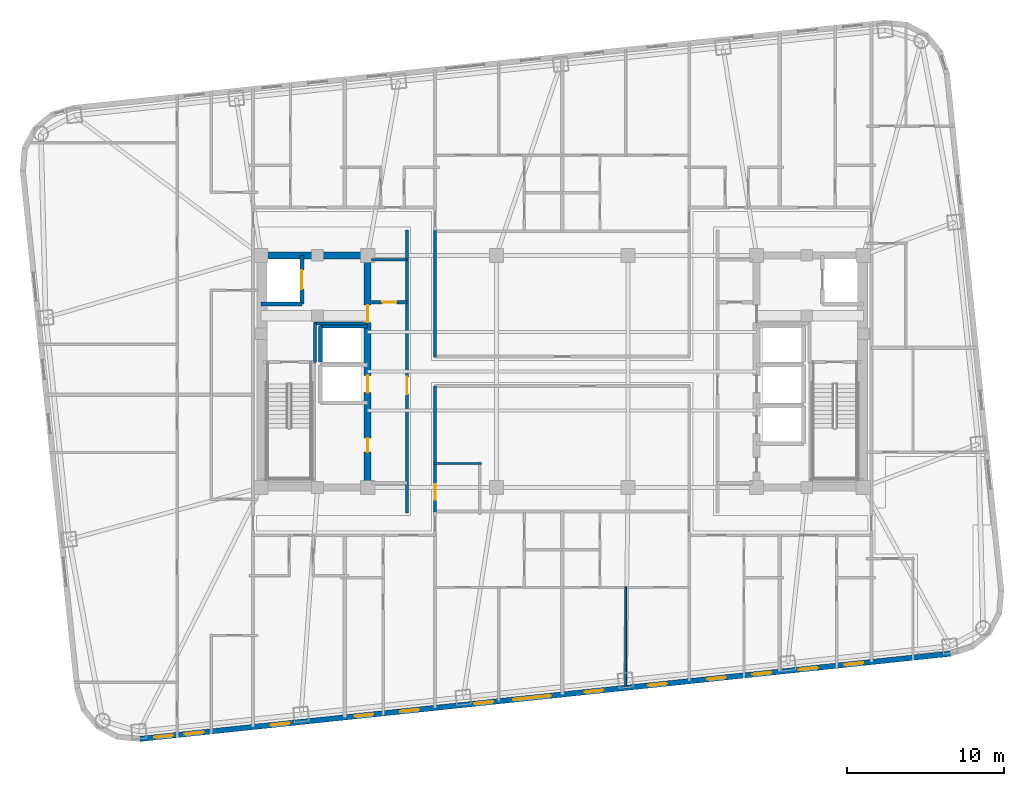
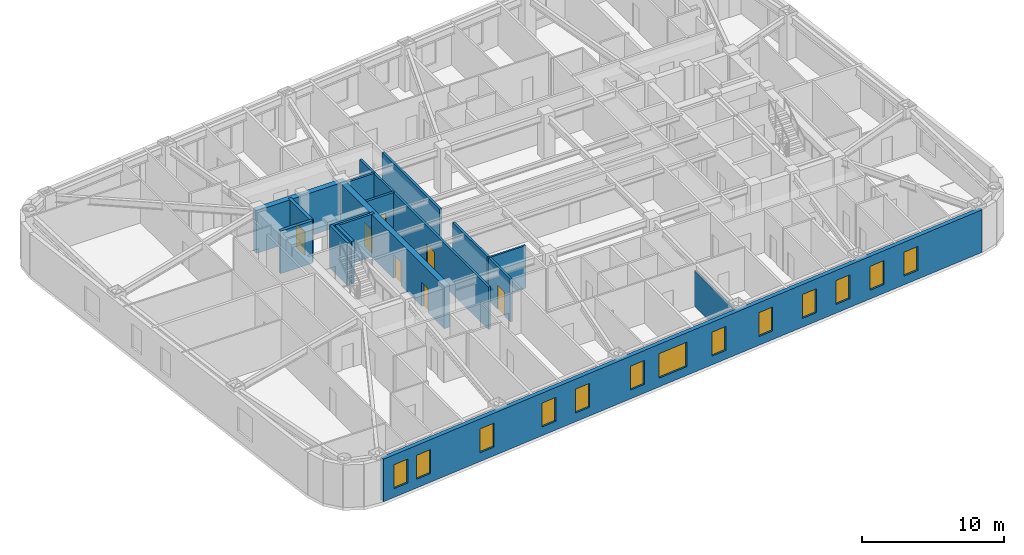
# One storey, part 4 of 12: 16 walls, 13 windows, 7 doors, 20 openings.
"""IFC4 building model written with IfcOpenShell, lengths in metres."""

from ifc_helpers import new_model, si_unit, direction, frame, frame_2d, origin, place, context, subcontext, project, spatial, rectangle, extrude, material, layer, layer_set, type_object, element, fill, save


model = new_model("IFC4")

# Units and contexts
model_context = context("Model", 3, precision=1e-05, world=origin(), true_north=direction((0.0, 1.0)))
body_context = subcontext(model_context, "Body", "Model", "MODEL_VIEW")
ifc_project = project(units=[si_unit("LENGTHUNIT", "METRE"), si_unit("AREAUNIT", "SQUARE_METRE"), si_unit("VOLUMEUNIT", "CUBIC_METRE"), si_unit("PLANEANGLEUNIT", "RADIAN"), si_unit("MASSUNIT", "GRAM", prefix="KILO")], contexts=[model_context])

# Site, building, storey
site_placement = place(None, origin())
site = spatial("IfcSite", under=ifc_project, at=site_placement, CompositionType="ELEMENT")
building_placement = place(site_placement, origin())
building = spatial("IfcBuilding", under=site, at=building_placement, Name="Voryun Gate Residences", CompositionType="ELEMENT")
storey_placement = place(building_placement, frame((0.0, 0.0, 159.89990234375)))
storey = spatial("IfcBuildingStorey", under=building, at=storey_placement, Name="L39", CompositionType="ELEMENT", Elevation=159.89990234375)

# Wall
ifc_material_1 = material(Name="Concrete C50/60", Category="concrete")
ifc_layer_1 = layer(ifc_material_1, 0.449951171875, Name="CW_CORE_450")
ifc_layer_set_1 = layer_set([ifc_layer_1], Name="Concrete C50/60")
wall_type_1 = type_object("IfcWallType", Name="CW_CORE_450", PredefinedType="SHEAR", material=ifc_layer_set_1)
wall_1_placement = place(storey_placement, frame((-19.425048828125, 7.39990234375, 0.0), z_axis=(0.0, 0.0, 1.0), x_axis=(1.0, 0.0, 0.0)))
element("IfcWall", 1, at=wall_1_placement, inside=storey, type_object=wall_type_1, Name="L39 Core shear wall CW-L39-WN", PredefinedType="SHEAR", context=body_context, shape_type="SweptSolid", body=[
    extrude(rectangle(XDim=7.25, YDim=0.449951171875, at=frame_2d((3.625, 0.0))), origin(), (0.0, 0.0, 1.0), 3.650146484375),
])

# Wall, openings, doors
wall_2_placement = place(storey_placement, frame((-12.39990234375, -7.39990234375, 0.0), z_axis=(0.0, 0.0, 1.0), x_axis=(0.0, 1.0, 0.0)))
wall_2 = element("IfcWall", 2, at=wall_2_placement, inside=storey, type_object=wall_type_1, Name="L39 Core shear wall CW-L39-WE", PredefinedType="SHEAR", context=body_context, shape_type="SweptSolid", body=[
    extrude(rectangle(XDim=14.7998046875, YDim=0.449951171875, at=frame_2d((7.39990234375, 0.0))), origin(), (0.0, 0.0, 1.0), 3.650146484375),
])
opening_1_placement = place(wall_2_placement, frame((6.050048828125, 0.0, 0.0)))
opening_1 = element("IfcOpeningElement", 3, at=opening_1_placement, cuts=wall_2, Name="Opening LD2", PredefinedType="OPENING", context=body_context, shape_type="SweptSolid", body=[
    extrude(rectangle(XDim=1.10009765625, YDim=2.050048828125, at=frame_2d((0.550048828125, 1.02490234375))), frame((0.0, 0.235107421875, 0.0), z_axis=(0.0, -1.0, 0.0), x_axis=(1.0, 0.0, 0.0)), (0.0, 0.0, 1.0), 0.469970703125),
])
opening_2_placement = place(wall_2_placement, frame((10.530029296875, 0.0, 0.0)))
opening_2 = element("IfcOpeningElement", 4, at=opening_2_placement, cuts=wall_2, Name="Opening D-FD60-2", PredefinedType="OPENING", context=body_context, shape_type="SweptSolid", body=[
    extrude(rectangle(XDim=1.10009765625, YDim=2.050048828125, at=frame_2d((0.550048828125, 1.02490234375))), frame((0.0, 0.235107421875, 0.0), z_axis=(0.0, -1.0, 0.0), x_axis=(1.0, 0.0, 0.0)), (0.0, 0.0, 1.0), 0.469970703125),
])
opening_3_placement = place(wall_2_placement, frame((2.25, 0.0, 0.0)))
opening_3 = element("IfcOpeningElement", 5, at=opening_3_placement, cuts=wall_2, Name="Opening D-FD60-4", PredefinedType="OPENING", context=body_context, shape_type="SweptSolid", body=[
    extrude(rectangle(XDim=0.89990234375, YDim=2.050048828125, at=frame_2d((0.449951171875, 1.02490234375))), frame((0.0, 0.235107421875, 0.0), z_axis=(0.0, -1.0, 0.0), x_axis=(1.0, 0.0, 0.0)), (0.0, 0.0, 1.0), 0.469970703125),
])
ifc_material_2 = material(Name="Painted steel fire door", Category="steel")
door_type_1 = type_object("IfcDoorType", Name="DR_FD60_FFLOB_1100", OperationType="NOTDEFINED", PredefinedType="DOOR", material=ifc_material_2)
door_1_placement = place(opening_2_placement, origin())
door_1 = element("IfcDoor", 6, at=door_1_placement, inside=storey, type_object=door_type_1, Name="Door DR-L39-CLOB-W", OperationType="SINGLE_SWING_LEFT", OverallHeight=2.050048828125, OverallWidth=1.10009765625, PredefinedType="DOOR", context=body_context, shape_type="SweptSolid", body=[
    extrude(rectangle(XDim=1.10009765625, YDim=2.050048828125, at=frame_2d((0.550048828125, 1.02490234375))), frame((0.0, 0.02490234375, 0.0), z_axis=(0.0, -1.0, 0.0), x_axis=(1.0, 0.0, 0.0)), (0.0, 0.0, 1.0), 0.050048828125),
])
fill(opening_2, door_1)
ifc_material_3 = material(Name="Painted steel fire door", Category="steel")
door_type_2 = type_object("IfcDoorType", Name="DR_FD60_RISER_900", OperationType="NOTDEFINED", PredefinedType="DOOR", material=ifc_material_3)
door_2_placement = place(opening_3_placement, origin())
door_2 = element("IfcDoor", 7, at=door_2_placement, inside=storey, type_object=door_type_2, Name="Door DR-L39-RECW1", OperationType="SINGLE_SWING_LEFT", OverallHeight=2.050048828125, OverallWidth=0.89990234375, PredefinedType="DOOR", context=body_context, shape_type="SweptSolid", body=[
    extrude(rectangle(XDim=0.89990234375, YDim=2.050048828125, at=frame_2d((0.449951171875, 1.02490234375))), frame((0.0, 0.02490234375, 0.0), z_axis=(0.0, -1.0, 0.0), x_axis=(1.0, 0.0, 0.0)), (0.0, 0.0, 1.0), 0.050048828125),
])
fill(opening_3, door_2)
ifc_material_4 = material(Name="Anodised aluminium", Category="aluminium")
door_type_3 = type_object("IfcDoorType", Name="DR_LD_PASS_1100", OperationType="NOTDEFINED", PredefinedType="DOOR", material=ifc_material_4)
door_3_placement = place(opening_1_placement, origin())
door_3 = element("IfcDoor", 8, at=door_3_placement, inside=storey, type_object=door_type_3, Name="Lift EL-P4 sliding landing door L39", OperationType="SLIDING_TO_LEFT", OverallHeight=2.050048828125, OverallWidth=1.10009765625, PredefinedType="DOOR", context=body_context, shape_type="SweptSolid", body=[
    extrude(rectangle(XDim=1.10009765625, YDim=2.050048828125, at=frame_2d((0.550048828125, 1.02490234375))), frame((0.0, 0.02490234375, 0.0), z_axis=(0.0, -1.0, 0.0), x_axis=(1.0, 0.0, 0.0)), (0.0, 0.0, 1.0), 0.050048828125),
])
fill(opening_1, door_3)

# Wall
ifc_material_5 = material(Name="Gypsum acoustic fireboard")
ifc_layer_2 = layer(ifc_material_5, 0.179931640625, Name="W_CORR_RATED_180")
ifc_layer_set_2 = layer_set([ifc_layer_2], Name="Gypsum acoustic fireboard")
wall_type_2 = type_object("IfcWallType", Name="W_CORR_RATED_180", PredefinedType="PARTITIONING", material=ifc_layer_set_2)
wall_3_placement = place(storey_placement, frame((-12.14990234375, 7.1201171875, 0.0), z_axis=(0.0, 0.0, 1.0), x_axis=(1.0, 0.0, 0.0)))
element("IfcWall", 9, at=wall_3_placement, inside=storey, type_object=wall_type_2, Name="Partition wall WP-L39-PLBN-W", PredefinedType="PARTITIONING", context=body_context, shape_type="SweptSolid", body=[
    extrude(rectangle(XDim=2.27001953125, YDim=0.179931640625, at=frame_2d((1.135009765625, 0.0))), origin(), (0.0, 0.0, 1.0), 3.650146484375),
])

# Wall, opening, door
wall_4_placement = place(storey_placement, frame((-9.89990234375, -9.030029296875, 0.0), z_axis=(0.0, 0.0, 1.0), x_axis=(0.0, 1.0, 0.0)))
wall_4 = element("IfcWall", 10, at=wall_4_placement, inside=storey, type_object=wall_type_2, Name="Partition wall WP-L39-PLBW-FULL", PredefinedType="PARTITIONING", context=body_context, shape_type="SweptSolid", body=[
    extrude(rectangle(XDim=18.06005859375, YDim=0.179931640625, at=frame_2d((9.030029296875, 0.0))), origin(), (0.0, 0.0, 1.0), 3.650146484375),
])
opening_4_placement = place(wall_4_placement, frame((7.576904296875, 0.0, 0.0)))
opening_4 = element("IfcOpeningElement", 11, at=opening_4_placement, cuts=wall_4, Name="Opening D-FD60-2", PredefinedType="OPENING", context=body_context, shape_type="SweptSolid", body=[
    extrude(rectangle(XDim=1.10009765625, YDim=2.050048828125, at=frame_2d((0.550048828125, 1.02490234375))), frame((0.0, 0.099853515625, 0.0), z_axis=(0.0, -1.0, 0.0), x_axis=(1.0, 0.0, 0.0)), (0.0, 0.0, 1.0), 0.199951171875),
])
door_4_placement = place(opening_4_placement, origin())
door_4 = element("IfcDoor", 12, at=door_4_placement, inside=storey, type_object=door_type_1, Name="Door DR-L39-PLBW-COR", OperationType="SINGLE_SWING_LEFT", OverallHeight=2.050048828125, OverallWidth=1.10009765625, PredefinedType="DOOR", context=body_context, shape_type="SweptSolid", body=[
    extrude(rectangle(XDim=1.10009765625, YDim=2.050048828125, at=frame_2d((0.550048828125, 1.02490234375))), frame((0.0, 0.02490234375, 0.0), z_axis=(0.0, -1.0, 0.0), x_axis=(1.0, 0.0, 0.0)), (0.0, 0.0, 1.0), 0.050048828125),
])
fill(opening_4, door_4)

# Wall
wall_5_placement = place(storey_placement, frame((-8.10009765625, 0.919921875, 0.0), z_axis=(0.0, 0.0, 1.0), x_axis=(0.0, 1.0, 0.0)))
element("IfcWall", 13, at=wall_5_placement, inside=storey, type_object=wall_type_2, Name="Partition wall WP-L39-Z2WL1", PredefinedType="PARTITIONING", context=body_context, shape_type="SweptSolid", body=[
    extrude(rectangle(XDim=8.06005859375, YDim=0.179931640625, at=frame_2d((4.030029296875, 0.0))), origin(), (0.0, 0.0, 1.0), 3.650146484375),
])

# Wall, opening, door
wall_6_placement = place(storey_placement, frame((-8.10009765625, -8.97998046875, 0.0), z_axis=(0.0, 0.0, 1.0), x_axis=(0.0, 1.0, 0.0)))
wall_6 = element("IfcWall", 14, at=wall_6_placement, inside=storey, type_object=wall_type_2, Name="Partition wall WP-L39-Z2WL2", PredefinedType="PARTITIONING", context=body_context, shape_type="SweptSolid", body=[
    extrude(rectangle(XDim=8.06005859375, YDim=0.179931640625, at=frame_2d((4.030029296875, 0.0))), origin(), (0.0, 0.0, 1.0), 3.650146484375),
])
opening_5_placement = place(wall_6_placement, frame((0.78955078125, 0.0, 0.0)))
opening_5 = element("IfcOpeningElement", 15, at=opening_5_placement, cuts=wall_6, Name="Opening D-AWC-1", PredefinedType="OPENING", context=body_context, shape_type="SweptSolid", body=[
    extrude(rectangle(XDim=1.0, YDim=2.050048828125, at=frame_2d((0.5, 1.02490234375))), frame((0.0, 0.099853515625, 0.0), z_axis=(0.0, -1.0, 0.0), x_axis=(1.0, 0.0, 0.0)), (0.0, 0.0, 1.0), 0.199951171875),
])
ifc_material_6 = material(Name="Architectural oak veneer")
door_type_4 = type_object("IfcDoorType", Name="DR_ACC_WC_1000", OperationType="NOTDEFINED", PredefinedType="DOOR", material=ifc_material_6)
door_5_placement = place(opening_5_placement, origin())
door_5 = element("IfcDoor", 16, at=door_5_placement, inside=storey, type_object=door_type_4, Name="Door DR-L39-CMWC-D", OperationType="SINGLE_SWING_LEFT", OverallHeight=2.050048828125, OverallWidth=1.0, PredefinedType="DOOR", context=body_context, shape_type="SweptSolid", body=[
    extrude(rectangle(XDim=1.0, YDim=2.050048828125, at=frame_2d((0.5, 1.02490234375))), frame((0.0, 0.02490234375, 0.0), z_axis=(0.0, -1.0, 0.0), x_axis=(1.0, 0.0, 0.0)), (0.0, 0.0, 1.0), 0.050048828125),
])
fill(opening_5, door_5)

# Wall, openings, windows
ifc_material_7 = material(Name="Charcoal terracotta masonry", Category="masonry")
ifc_layer_3 = layer(ifc_material_7, 0.340087890625, Name="W_EXT_TERRACOTTA_340")
ifc_layer_set_3 = layer_set([ifc_layer_3], Name="Charcoal terracotta masonry")
wall_type_3 = type_object("IfcWallType", Name="W_EXT_TERRACOTTA_340", PredefinedType="ELEMENTEDWALL", material=ifc_layer_set_3)
wall_7_placement = place(storey_placement, frame((24.755615234375, -18.003173828125, 0.0), z_axis=(0.0, 0.0, 1.0), x_axis=(-0.99452160744, -0.104531202687, 0.0)))
wall_7 = element("IfcWall", 17, at=wall_7_placement, inside=storey, type_object=wall_type_3, Name="Exterior wall WEXT-L39-01", PredefinedType="ELEMENTEDWALL", context=body_context, shape_type="SweptSolid", body=[
    extrude(rectangle(XDim=51.966552734375, YDim=0.340087890625, at=frame_2d((25.9833984375, 0.0))), origin(), (0.0, 0.0, 1.0), 3.650146484375),
])
opening_6_placement = place(wall_7_placement, frame((25.63330078125, 0.0, 0.75)))
opening_6 = element("IfcOpeningElement", 18, at=opening_6_placement, cuts=wall_7, Name="Opening WN2", PredefinedType="OPENING", context=body_context, shape_type="SweptSolid", body=[
    extrude(rectangle(XDim=2.39990234375, YDim=2.10009765625, at=frame_2d((1.199951171875, 1.050048828125))), frame((0.0, 0.179931640625, 0.0), z_axis=(0.0, -1.0, 0.0), x_axis=(1.0, 0.0, 0.0)), (0.0, 0.0, 1.0), 0.360107421875),
])
opening_7_placement = place(wall_7_placement, frame((42.369384765625, 0.0, 0.75)))
opening_7 = element("IfcOpeningElement", 19, at=opening_7_placement, cuts=wall_7, Name="Opening WN6", PredefinedType="OPENING", context=body_context, shape_type="SweptSolid", body=[
    extrude(rectangle(XDim=1.199951171875, YDim=2.050048828125, at=frame_2d((0.60009765625, 1.02490234375))), frame((0.0, 0.179931640625, 0.0), z_axis=(0.0, -1.0, 0.0), x_axis=(1.0, 0.0, 0.0)), (0.0, 0.0, 1.0), 0.360107421875),
])
opening_8_placement = place(wall_7_placement, frame((34.084716796875, 0.0, 0.75)))
opening_8 = element("IfcOpeningElement", 20, at=opening_8_placement, cuts=wall_7, Name="Opening WN6", PredefinedType="OPENING", context=body_context, shape_type="SweptSolid", body=[
    extrude(rectangle(XDim=1.199951171875, YDim=2.050048828125, at=frame_2d((0.60009765625, 1.02490234375))), frame((0.0, 0.179931640625, 0.0), z_axis=(0.0, -1.0, 0.0), x_axis=(1.0, 0.0, 0.0)), (0.0, 0.0, 1.0), 0.360107421875),
])
opening_9_placement = place(wall_7_placement, frame((36.9931640625, 0.0, 0.75)))
opening_9 = element("IfcOpeningElement", 21, at=opening_9_placement, cuts=wall_7, Name="Opening WN6", PredefinedType="OPENING", context=body_context, shape_type="SweptSolid", body=[
    extrude(rectangle(XDim=1.199951171875, YDim=2.050048828125, at=frame_2d((0.60009765625, 1.02490234375))), frame((0.0, 0.179931640625, 0.0), z_axis=(0.0, -1.0, 0.0), x_axis=(1.0, 0.0, 0.0)), (0.0, 0.0, 1.0), 0.360107421875),
])
opening_10_placement = place(wall_7_placement, frame((14.3974609375, 0.0, 0.75)))
opening_10 = element("IfcOpeningElement", 22, at=opening_10_placement, cuts=wall_7, Name="Opening WN6", PredefinedType="OPENING", context=body_context, shape_type="SweptSolid", body=[
    extrude(rectangle(XDim=1.199951171875, YDim=2.050048828125, at=frame_2d((0.60009765625, 1.02490234375))), frame((0.0, 0.179931640625, 0.0), z_axis=(0.0, -1.0, 0.0), x_axis=(1.0, 0.0, 0.0)), (0.0, 0.0, 1.0), 0.360107421875),
])
opening_11_placement = place(wall_7_placement, frame((11.489013671875, 0.0, 0.75)))
opening_11 = element("IfcOpeningElement", 23, at=opening_11_placement, cuts=wall_7, Name="Opening WN6", PredefinedType="OPENING", context=body_context, shape_type="SweptSolid", body=[
    extrude(rectangle(XDim=1.199951171875, YDim=2.050048828125, at=frame_2d((0.60009765625, 1.02490234375))), frame((0.0, 0.179931640625, 0.0), z_axis=(0.0, -1.0, 0.0), x_axis=(1.0, 0.0, 0.0)), (0.0, 0.0, 1.0), 0.360107421875),
])
opening_12_placement = place(wall_7_placement, frame((8.520751953125, 0.0, 0.75)))
opening_12 = element("IfcOpeningElement", 24, at=opening_12_placement, cuts=wall_7, Name="Opening WN6", PredefinedType="OPENING", context=body_context, shape_type="SweptSolid", body=[
    extrude(rectangle(XDim=1.199951171875, YDim=2.050048828125, at=frame_2d((0.60009765625, 1.02490234375))), frame((0.0, 0.179931640625, 0.0), z_axis=(0.0, -1.0, 0.0), x_axis=(1.0, 0.0, 0.0)), (0.0, 0.0, 1.0), 0.360107421875),
])
opening_13_placement = place(wall_7_placement, frame((5.58203125, 0.0, 0.75)))
opening_13 = element("IfcOpeningElement", 25, at=opening_13_placement, cuts=wall_7, Name="Opening WN6", PredefinedType="OPENING", context=body_context, shape_type="SweptSolid", body=[
    extrude(rectangle(XDim=1.199951171875, YDim=2.050048828125, at=frame_2d((0.60009765625, 1.02490234375))), frame((0.0, 0.179931640625, 0.0), z_axis=(0.0, -1.0, 0.0), x_axis=(1.0, 0.0, 0.0)), (0.0, 0.0, 1.0), 0.360107421875),
])
opening_14_placement = place(wall_7_placement, frame((29.31298828125, 0.0, 0.75)))
opening_14 = element("IfcOpeningElement", 26, at=opening_14_placement, cuts=wall_7, Name="Opening WN6", PredefinedType="OPENING", context=body_context, shape_type="SweptSolid", body=[
    extrude(rectangle(XDim=1.199951171875, YDim=2.050048828125, at=frame_2d((0.60009765625, 1.02490234375))), frame((0.0, 0.179931640625, 0.0), z_axis=(0.0, -1.0, 0.0), x_axis=(1.0, 0.0, 0.0)), (0.0, 0.0, 1.0), 0.360107421875),
])
opening_15_placement = place(wall_7_placement, frame((22.248291015625, 0.0, 0.75)))
opening_15 = element("IfcOpeningElement", 27, at=opening_15_placement, cuts=wall_7, Name="Opening WN6", PredefinedType="OPENING", context=body_context, shape_type="SweptSolid", body=[
    extrude(rectangle(XDim=1.199951171875, YDim=2.050048828125, at=frame_2d((0.60009765625, 1.02490234375))), frame((0.0, 0.179931640625, 0.0), z_axis=(0.0, -1.0, 0.0), x_axis=(1.0, 0.0, 0.0)), (0.0, 0.0, 1.0), 0.360107421875),
])
opening_16_placement = place(wall_7_placement, frame((18.18603515625, 0.0, 0.75)))
opening_16 = element("IfcOpeningElement", 28, at=opening_16_placement, cuts=wall_7, Name="Opening WN6", PredefinedType="OPENING", context=body_context, shape_type="SweptSolid", body=[
    extrude(rectangle(XDim=1.199951171875, YDim=2.050048828125, at=frame_2d((0.60009765625, 1.02490234375))), frame((0.0, 0.179931640625, 0.0), z_axis=(0.0, -1.0, 0.0), x_axis=(1.0, 0.0, 0.0)), (0.0, 0.0, 1.0), 0.360107421875),
])
opening_17_placement = place(wall_7_placement, frame((47.87890625, 0.0, 0.75)))
opening_17 = element("IfcOpeningElement", 29, at=opening_17_placement, cuts=wall_7, Name="Opening WN6", PredefinedType="OPENING", context=body_context, shape_type="SweptSolid", body=[
    extrude(rectangle(XDim=1.199951171875, YDim=2.050048828125, at=frame_2d((0.60009765625, 1.02490234375))), frame((0.0, 0.179931640625, 0.0), z_axis=(0.0, -1.0, 0.0), x_axis=(1.0, 0.0, 0.0)), (0.0, 0.0, 1.0), 0.360107421875),
])
opening_18_placement = place(wall_7_placement, frame((49.84423828125, 0.0, 0.75)))
opening_18 = element("IfcOpeningElement", 30, at=opening_18_placement, cuts=wall_7, Name="Opening WN6", PredefinedType="OPENING", context=body_context, shape_type="SweptSolid", body=[
    extrude(rectangle(XDim=1.199951171875, YDim=2.050048828125, at=frame_2d((0.60009765625, 1.02490234375))), frame((0.0, 0.179931640625, 0.0), z_axis=(0.0, -1.0, 0.0), x_axis=(1.0, 0.0, 0.0)), (0.0, 0.0, 1.0), 0.360107421875),
])
ifc_material_8 = material(Name="Laminated low-E glass", Category="glass")
window_type_1 = type_object("IfcWindowType", Name="WN_POD_SLOT_1200", PartitioningType="SINGLE_PANEL", PredefinedType="WINDOW", material=ifc_material_8)
window_1_placement = place(opening_7_placement, origin())
window_1 = element("IfcWindow", 31, at=window_1_placement, inside=storey, type_object=window_type_1, Name="Window WN-L39-DWFIX-10", OverallHeight=2.050048828125, OverallWidth=1.199951171875, PartitioningType="SINGLE_PANEL", PredefinedType="WINDOW", context=body_context, shape_type="SweptSolid", body=[
    extrude(rectangle(XDim=1.199951171875, YDim=2.050048828125, at=frame_2d((0.60009765625, 1.02490234375))), frame((0.0, 0.030029296875, 0.0), z_axis=(0.0, -1.0, 0.0), x_axis=(1.0, 0.0, 0.0)), (0.0, 0.0, 1.0), 0.06005859375),
])
fill(opening_7, window_1)
window_2_placement = place(opening_8_placement, origin())
window_2 = element("IfcWindow", 32, at=window_2_placement, inside=storey, type_object=window_type_1, Name="Window WN-L39-DWFIX-11", OverallHeight=2.050048828125, OverallWidth=1.199951171875, PartitioningType="SINGLE_PANEL", PredefinedType="WINDOW", context=body_context, shape_type="SweptSolid", body=[
    extrude(rectangle(XDim=1.199951171875, YDim=2.050048828125, at=frame_2d((0.60009765625, 1.02490234375))), frame((0.0, 0.030029296875, 0.0), z_axis=(0.0, -1.0, 0.0), x_axis=(1.0, 0.0, 0.0)), (0.0, 0.0, 1.0), 0.06005859375),
])
fill(opening_8, window_2)
window_3_placement = place(opening_9_placement, origin())
window_3 = element("IfcWindow", 33, at=window_3_placement, inside=storey, type_object=window_type_1, Name="Window WN-L39-DWFIX-12", OverallHeight=2.050048828125, OverallWidth=1.199951171875, PartitioningType="SINGLE_PANEL", PredefinedType="WINDOW", context=body_context, shape_type="SweptSolid", body=[
    extrude(rectangle(XDim=1.199951171875, YDim=2.050048828125, at=frame_2d((0.60009765625, 1.02490234375))), frame((0.0, 0.030029296875, 0.0), z_axis=(0.0, -1.0, 0.0), x_axis=(1.0, 0.0, 0.0)), (0.0, 0.0, 1.0), 0.06005859375),
])
fill(opening_9, window_3)
window_4_placement = place(opening_10_placement, origin())
window_4 = element("IfcWindow", 34, at=window_4_placement, inside=storey, type_object=window_type_1, Name="Window WN-L39-DWFIX-13", OverallHeight=2.050048828125, OverallWidth=1.199951171875, PartitioningType="SINGLE_PANEL", PredefinedType="WINDOW", context=body_context, shape_type="SweptSolid", body=[
    extrude(rectangle(XDim=1.199951171875, YDim=2.050048828125, at=frame_2d((0.60009765625, 1.02490234375))), frame((0.0, 0.030029296875, 0.0), z_axis=(0.0, -1.0, 0.0), x_axis=(1.0, 0.0, 0.0)), (0.0, 0.0, 1.0), 0.06005859375),
])
fill(opening_10, window_4)
window_5_placement = place(opening_11_placement, origin())
window_5 = element("IfcWindow", 35, at=window_5_placement, inside=storey, type_object=window_type_1, Name="Window WN-L39-DWFIX-14", OverallHeight=2.050048828125, OverallWidth=1.199951171875, PartitioningType="SINGLE_PANEL", PredefinedType="WINDOW", context=body_context, shape_type="SweptSolid", body=[
    extrude(rectangle(XDim=1.199951171875, YDim=2.050048828125, at=frame_2d((0.60009765625, 1.02490234375))), frame((0.0, 0.030029296875, 0.0), z_axis=(0.0, -1.0, 0.0), x_axis=(1.0, 0.0, 0.0)), (0.0, 0.0, 1.0), 0.06005859375),
])
fill(opening_11, window_5)
window_6_placement = place(opening_12_placement, origin())
window_6 = element("IfcWindow", 36, at=window_6_placement, inside=storey, type_object=window_type_1, Name="Window WN-L39-DWFIX-15", OverallHeight=2.050048828125, OverallWidth=1.199951171875, PartitioningType="SINGLE_PANEL", PredefinedType="WINDOW", context=body_context, shape_type="SweptSolid", body=[
    extrude(rectangle(XDim=1.199951171875, YDim=2.050048828125, at=frame_2d((0.60009765625, 1.02490234375))), frame((0.0, 0.030029296875, 0.0), z_axis=(0.0, -1.0, 0.0), x_axis=(1.0, 0.0, 0.0)), (0.0, 0.0, 1.0), 0.06005859375),
])
fill(opening_12, window_6)
window_7_placement = place(opening_13_placement, origin())
window_7 = element("IfcWindow", 37, at=window_7_placement, inside=storey, type_object=window_type_1, Name="Window WN-L39-DWFIX-16", OverallHeight=2.050048828125, OverallWidth=1.199951171875, PartitioningType="SINGLE_PANEL", PredefinedType="WINDOW", context=body_context, shape_type="SweptSolid", body=[
    extrude(rectangle(XDim=1.199951171875, YDim=2.050048828125, at=frame_2d((0.60009765625, 1.02490234375))), frame((0.0, 0.030029296875, 0.0), z_axis=(0.0, -1.0, 0.0), x_axis=(1.0, 0.0, 0.0)), (0.0, 0.0, 1.0), 0.06005859375),
])
fill(opening_13, window_7)
window_8_placement = place(opening_14_placement, origin())
window_8 = element("IfcWindow", 38, at=window_8_placement, inside=storey, type_object=window_type_1, Name="Window WN-L39-DWFIX-17", OverallHeight=2.050048828125, OverallWidth=1.199951171875, PartitioningType="SINGLE_PANEL", PredefinedType="WINDOW", context=body_context, shape_type="SweptSolid", body=[
    extrude(rectangle(XDim=1.199951171875, YDim=2.050048828125, at=frame_2d((0.60009765625, 1.02490234375))), frame((0.0, 0.030029296875, 0.0), z_axis=(0.0, -1.0, 0.0), x_axis=(1.0, 0.0, 0.0)), (0.0, 0.0, 1.0), 0.06005859375),
])
fill(opening_14, window_8)
window_9_placement = place(opening_15_placement, origin())
window_9 = element("IfcWindow", 39, at=window_9_placement, inside=storey, type_object=window_type_1, Name="Window WN-L39-DWFIX-18", OverallHeight=2.050048828125, OverallWidth=1.199951171875, PartitioningType="SINGLE_PANEL", PredefinedType="WINDOW", context=body_context, shape_type="SweptSolid", body=[
    extrude(rectangle(XDim=1.199951171875, YDim=2.050048828125, at=frame_2d((0.60009765625, 1.02490234375))), frame((0.0, 0.030029296875, 0.0), z_axis=(0.0, -1.0, 0.0), x_axis=(1.0, 0.0, 0.0)), (0.0, 0.0, 1.0), 0.06005859375),
])
fill(opening_15, window_9)
window_10_placement = place(opening_16_placement, origin())
window_10 = element("IfcWindow", 40, at=window_10_placement, inside=storey, type_object=window_type_1, Name="Window WN-L39-DWFIX-19", OverallHeight=2.050048828125, OverallWidth=1.199951171875, PartitioningType="SINGLE_PANEL", PredefinedType="WINDOW", context=body_context, shape_type="SweptSolid", body=[
    extrude(rectangle(XDim=1.199951171875, YDim=2.050048828125, at=frame_2d((0.60009765625, 1.02490234375))), frame((0.0, 0.030029296875, 0.0), z_axis=(0.0, -1.0, 0.0), x_axis=(1.0, 0.0, 0.0)), (0.0, 0.0, 1.0), 0.06005859375),
])
fill(opening_16, window_10)
window_11_placement = place(opening_17_placement, origin())
window_11 = element("IfcWindow", 41, at=window_11_placement, inside=storey, type_object=window_type_1, Name="Window WN-L39-DWFIX-20", OverallHeight=2.050048828125, OverallWidth=1.199951171875, PartitioningType="SINGLE_PANEL", PredefinedType="WINDOW", context=body_context, shape_type="SweptSolid", body=[
    extrude(rectangle(XDim=1.199951171875, YDim=2.050048828125, at=frame_2d((0.60009765625, 1.02490234375))), frame((0.0, 0.030029296875, 0.0), z_axis=(0.0, -1.0, 0.0), x_axis=(1.0, 0.0, 0.0)), (0.0, 0.0, 1.0), 0.06005859375),
])
fill(opening_17, window_11)
window_12_placement = place(opening_18_placement, origin())
window_12 = element("IfcWindow", 42, at=window_12_placement, inside=storey, type_object=window_type_1, Name="Window WN-L39-DWFIX-22", OverallHeight=2.050048828125, OverallWidth=1.199951171875, PartitioningType="SINGLE_PANEL", PredefinedType="WINDOW", context=body_context, shape_type="SweptSolid", body=[
    extrude(rectangle(XDim=1.199951171875, YDim=2.050048828125, at=frame_2d((0.60009765625, 1.02490234375))), frame((0.0, 0.030029296875, 0.0), z_axis=(0.0, -1.0, 0.0), x_axis=(1.0, 0.0, 0.0)), (0.0, 0.0, 1.0), 0.06005859375),
])
fill(opening_18, window_12)
ifc_material_9 = material(Name="Laminated low-E glass", Category="glass")
window_type_2 = type_object("IfcWindowType", Name="WN_RES_WIDE_2400", PartitioningType="SINGLE_PANEL", PredefinedType="WINDOW", material=ifc_material_9)
window_13_placement = place(opening_6_placement, origin())
window_13 = element("IfcWindow", 43, at=window_13_placement, inside=storey, type_object=window_type_2, Name="Window WN-WEXT-L39-01-02", OverallHeight=2.10009765625, OverallWidth=2.39990234375, PartitioningType="SINGLE_PANEL", PredefinedType="WINDOW", context=body_context, shape_type="SweptSolid", body=[
    extrude(rectangle(XDim=2.39990234375, YDim=2.10009765625, at=frame_2d((1.199951171875, 1.050048828125))), frame((0.0, 0.030029296875, 0.0), z_axis=(0.0, -1.0, 0.0), x_axis=(1.0, 0.0, 0.0)), (0.0, 0.0, 1.0), 0.06005859375),
])
fill(opening_6, window_13)

# Walls
ifc_material_10 = material(Name="Concrete C40/50", Category="concrete")
ifc_layer_4 = layer(ifc_material_10, 0.199951171875, Name="W_FF_LOBBY_200")
ifc_layer_set_4 = layer_set([ifc_layer_4], Name="Concrete C40/50")
wall_type_4 = type_object("IfcWallType", Name="W_FF_LOBBY_200", PredefinedType="PARTITIONING", material=ifc_layer_set_4)
wall_8_placement = place(storey_placement, frame((-15.760009765625, 0.580078125, 0.0), z_axis=(0.0, 0.0, 1.0), x_axis=(0.0, 1.0, 0.0)))
element("IfcWall", 44, at=wall_8_placement, inside=storey, type_object=wall_type_4, Name="Partition wall WP-L39-FFP0-W", PredefinedType="PARTITIONING", context=body_context, shape_type="SweptSolid", body=[
    extrude(rectangle(XDim=2.52001953125, YDim=0.199951171875, at=frame_2d((1.260009765625, 0.0))), origin(), (0.0, 0.0, 1.0), 3.650146484375),
])
wall_9_placement = place(storey_placement, frame((-15.820068359375, 3.06005859375, 0.0), z_axis=(0.0, 0.0, 1.0), x_axis=(1.0, 0.0, 0.0)))
element("IfcWall", 45, at=wall_9_placement, inside=storey, type_object=wall_type_4, Name="Partition wall WP-L39-FFPS-W", PredefinedType="PARTITIONING", context=body_context, shape_type="SweptSolid", body=[
    extrude(rectangle(XDim=3.16015625, YDim=0.199951171875, at=frame_2d((1.580078125, 0.0))), origin(), (0.0, 0.0, 1.0), 3.650146484375),
])

# Wall, opening, door
wall_10_placement = place(storey_placement, frame((-12.14990234375, 4.409912109375, 0.0), z_axis=(0.0, 0.0, 1.0), x_axis=(1.0, 0.0, 0.0)))
wall_10 = element("IfcWall", 46, at=wall_10_placement, inside=storey, type_object=wall_type_4, Name="Partition wall WP-L39-CSFLKS-W", PredefinedType="PARTITIONING", context=body_context, shape_type="SweptSolid", body=[
    extrude(rectangle(XDim=2.27001953125, YDim=0.199951171875, at=frame_2d((1.135009765625, 0.0))), origin(), (0.0, 0.0, 1.0), 3.650146484375),
])
opening_19_placement = place(wall_10_placement, frame((0.68505859375, 0.0, 0.0)))
opening_19 = element("IfcOpeningElement", 47, at=opening_19_placement, cuts=wall_10, Name="Opening D-FD60-4", PredefinedType="OPENING", context=body_context, shape_type="SweptSolid", body=[
    extrude(rectangle(XDim=0.89990234375, YDim=2.050048828125, at=frame_2d((0.449951171875, 1.02490234375))), frame((0.0, 0.110107421875, 0.0), z_axis=(0.0, -1.0, 0.0), x_axis=(1.0, 0.0, 0.0)), (0.0, 0.0, 1.0), 0.219970703125),
])
door_6_placement = place(opening_19_placement, origin())
door_6 = element("IfcDoor", 48, at=door_6_placement, inside=storey, type_object=door_type_2, Name="Door DR-L39-CSFLK-W", OperationType="SINGLE_SWING_LEFT", OverallHeight=2.050048828125, OverallWidth=0.89990234375, PredefinedType="DOOR", context=body_context, shape_type="SweptSolid", body=[
    extrude(rectangle(XDim=0.89990234375, YDim=2.050048828125, at=frame_2d((0.449951171875, 1.02490234375))), frame((0.0, 0.02490234375, 0.0), z_axis=(0.0, -1.0, 0.0), x_axis=(1.0, 0.0, 0.0)), (0.0, 0.0, 1.0), 0.050048828125),
])
fill(opening_19, door_6)

# Wall
ifc_material_11 = material(Name="Concrete C50/60", Category="concrete")
ifc_layer_5 = layer(ifc_material_11, 0.25, Name="W_SHAFT_RC250")
ifc_layer_set_5 = layer_set([ifc_layer_5], Name="Concrete C50/60")
wall_type_5 = type_object("IfcWallType", Name="W_SHAFT_RC250", PredefinedType="SOLIDWALL", material=ifc_layer_set_5)
wall_11_placement = place(storey_placement, frame((-19.199951171875, 4.300048828125, 0.0), z_axis=(0.0, 0.0, 1.0), x_axis=(1.0, 0.0, 0.0)))
element("IfcWall", 49, at=wall_11_placement, inside=storey, type_object=wall_type_5, Name="Lift shaft wall WSH-L39-EL-FF-W1-S", PredefinedType="SOLIDWALL", context=body_context, shape_type="SweptSolid", body=[
    extrude(rectangle(XDim=2.599853515625, YDim=0.25, at=frame_2d((1.2998046875, 0.0))), origin(), (0.0, 0.0, 1.0), 3.650146484375),
])

# Wall, opening, door
wall_12_placement = place(storey_placement, frame((-16.60009765625, 4.300048828125, 0.0), z_axis=(0.0, 0.0, 1.0), x_axis=(0.0, 1.0, 0.0)))
wall_12 = element("IfcWall", 50, at=wall_12_placement, inside=storey, type_object=wall_type_5, Name="Lift shaft wall WSH-L39-EL-FF-W1-E", PredefinedType="SOLIDWALL", context=body_context, shape_type="SweptSolid", body=[
    extrude(rectangle(XDim=3.099853515625, YDim=0.25, at=frame_2d((1.5498046875, 0.0))), origin(), (0.0, 0.0, 1.0), 3.650146484375),
])
opening_20_placement = place(wall_12_placement, frame((0.949951171875, 0.0, 0.0)))
opening_20 = element("IfcOpeningElement", 51, at=opening_20_placement, cuts=wall_12, Name="Opening LD1", PredefinedType="OPENING", context=body_context, shape_type="SweptSolid", body=[
    extrude(rectangle(XDim=1.199951171875, YDim=2.050048828125, at=frame_2d((0.60009765625, 1.02490234375))), frame((0.0, 0.135009765625, 0.0), z_axis=(0.0, -1.0, 0.0), x_axis=(1.0, 0.0, 0.0)), (0.0, 0.0, 1.0), 0.27001953125),
])
ifc_material_12 = material(Name="Anodised aluminium", Category="aluminium")
door_type_5 = type_object("IfcDoorType", Name="DR_LD_FF_1200", OperationType="NOTDEFINED", PredefinedType="DOOR", material=ifc_material_12)
door_7_placement = place(opening_20_placement, origin())
door_7 = element("IfcDoor", 52, at=door_7_placement, inside=storey, type_object=door_type_5, Name="Lift EL-FF-W1 sliding landing door L39", OperationType="SLIDING_TO_LEFT", OverallHeight=2.050048828125, OverallWidth=1.199951171875, PredefinedType="DOOR", context=body_context, shape_type="SweptSolid", body=[
    extrude(rectangle(XDim=1.199951171875, YDim=2.050048828125, at=frame_2d((0.60009765625, 1.02490234375))), frame((0.0, 0.02490234375, 0.0), z_axis=(0.0, -1.0, 0.0), x_axis=(1.0, 0.0, 0.0)), (0.0, 0.0, 1.0), 0.050048828125),
])
fill(opening_20, door_7)

# Walls
wall_13_placement = place(storey_placement, frame((-12.39990234375, 2.89990234375, 0.0), z_axis=(0.0, 0.0, 1.0), x_axis=(-1.0, 0.0, 0.0)))
element("IfcWall", 53, at=wall_13_placement, inside=storey, type_object=wall_type_5, Name="Lift shaft wall WSH-L39-EL-P7-N", PredefinedType="SOLIDWALL", context=body_context, shape_type="SweptSolid", body=[
    extrude(rectangle(XDim=3.0, YDim=0.25, at=frame_2d((1.5, 0.0))), origin(), (0.0, 0.0, 1.0), 3.650146484375),
])
wall_14_placement = place(storey_placement, frame((-15.39990234375, 2.89990234375, 0.0), z_axis=(0.0, 0.0, 1.0), x_axis=(0.0, -1.0, 0.0)))
element("IfcWall", 54, at=wall_14_placement, inside=storey, type_object=wall_type_5, Name="Lift shaft wall WSH-L39-EL-P7-W", PredefinedType="SOLIDWALL", context=body_context, shape_type="SweptSolid", body=[
    extrude(rectangle(XDim=2.2998046875, YDim=0.25, at=frame_2d((1.14990234375, 0.0))), origin(), (0.0, 0.0, 1.0), 3.650146484375),
])
ifc_material_13 = material(Name="Gypsum acoustic partition")
ifc_layer_6 = layer(ifc_material_13, 0.125, Name="W_UNIT_PART_125")
ifc_layer_set_6 = layer_set([ifc_layer_6], Name="Gypsum acoustic partition")
wall_type_6 = type_object("IfcWallType", Name="W_UNIT_PART_125", PredefinedType="PARTITIONING", material=ifc_layer_set_6)
wall_15_placement = place(storey_placement, frame((4.050048828125, -20.179443359375, 0.0), z_axis=(0.0, 0.0, 1.0), x_axis=(0.0, 1.0, 0.0)))
element("IfcWall", 55, at=wall_15_placement, inside=storey, type_object=wall_type_6, Name="Partition wall WP-L39-SC2-VBD", PredefinedType="PARTITIONING", context=body_context, shape_type="SweptSolid", body=[
    extrude(rectangle(XDim=6.439453125, YDim=0.125, at=frame_2d((3.2197265625, 0.0))), origin(), (0.0, 0.0, 1.0), 3.0400390625),
])
ifc_material_14 = material(Name="Gypsum moisture-resistant partition")
ifc_layer_7 = layer(ifc_material_14, 0.14990234375, Name="W_WET_PLUMB_150")
ifc_layer_set_7 = layer_set([ifc_layer_7], Name="Gypsum moisture-resistant partition")
wall_type_7 = type_object("IfcWallType", Name="W_WET_PLUMB_150", PredefinedType="PLUMBINGWALL", material=ifc_layer_set_7)
wall_16_placement = place(storey_placement, frame((-8.2099609375, -5.8701171875, 0.0), z_axis=(0.0, 0.0, 1.0), x_axis=(1.0, 0.0, 0.0)))
element("IfcWall", 56, at=wall_16_placement, inside=storey, type_object=wall_type_7, Name="Partition wall WP-L39-CMWCY", PredefinedType="PLUMBINGWALL", context=body_context, shape_type="SweptSolid", body=[
    extrude(rectangle(XDim=3.050048828125, YDim=0.14990234375, at=frame_2d((1.52490234375, 0.0))), origin(), (0.0, 0.0, 1.0), 3.650146484375),
])

save(model, "model.ifc")
